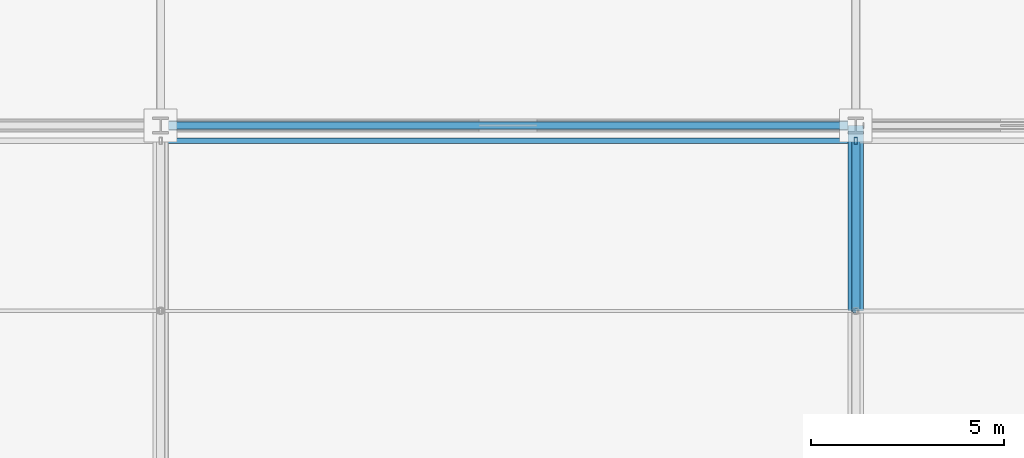
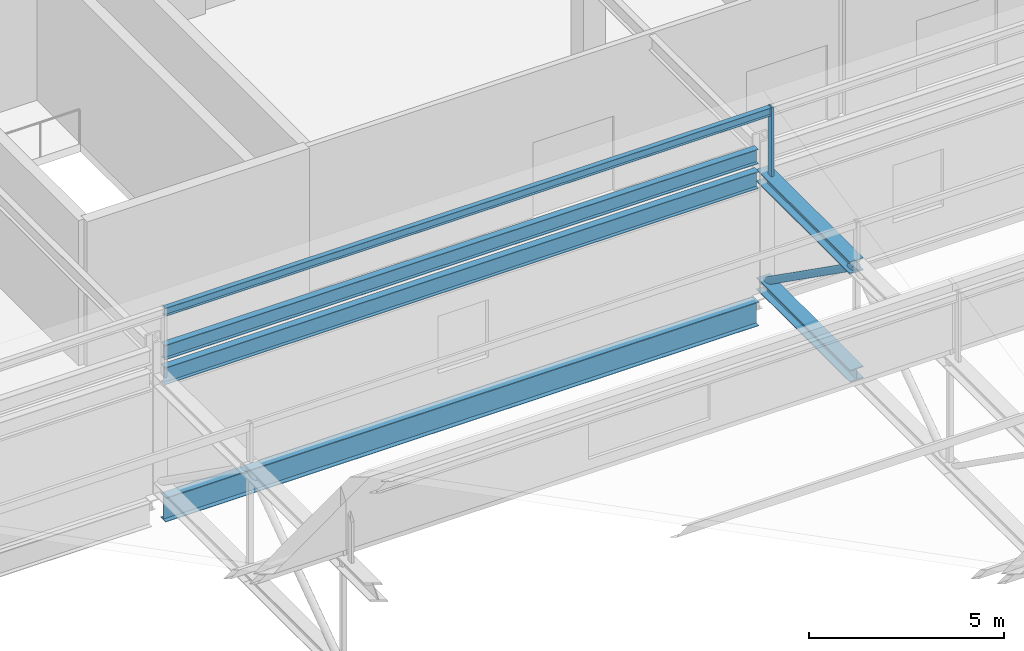
# One storey, part 49 of 136: 5 beams, 3 members.
"""IFC4 building model written with IfcOpenShell, lengths in metres."""

from ifc_helpers import new_model, si_unit, direction, frame, origin, origin_2d, place, context, subcontext, project, spatial, hollow_rectangle, hollow_circle, i_section, extrude, material, material_profile, profile_set, type_object, element, save


model = new_model("IFC4")

# Units and contexts
model_context = context("Model", 3, precision=1e-05, world=origin(), true_north=direction((0.0, 1.0)))
body_context = subcontext(model_context, "Body", "Model", "MODEL_VIEW")
ifc_project = project(units=[si_unit("LENGTHUNIT", "METRE"), si_unit("AREAUNIT", "SQUARE_METRE"), si_unit("VOLUMEUNIT", "CUBIC_METRE"), si_unit("PLANEANGLEUNIT", "RADIAN"), si_unit("MASSUNIT", "GRAM", prefix="KILO")], contexts=[model_context])

# Site, building, storey
site_placement = place(None, origin())
site = spatial("IfcSite", under=ifc_project, at=site_placement, CompositionType="ELEMENT")
building_placement = place(site_placement, origin())
building = spatial("IfcBuilding", under=site, at=building_placement, Name="Kisiwana Market Hall", CompositionType="ELEMENT")
storey_placement = place(building_placement, frame((0.0, 0.0, 16.800048828125)))
storey = spatial("IfcBuildingStorey", under=building, at=storey_placement, Name="L03", CompositionType="ELEMENT", Elevation=16.800048828125)

# Beams
ifc_material_1 = material(Name="Steel S355", Category="steel")
ifc_material_profile_1 = material_profile(ifc_material_1, i_section(OverallWidth=0.19140625, OverallDepth=0.4599609375, WebThickness=0.010009765625, FlangeThickness=0.01611328125, at=origin_2d()), Name="UB 457x191x82")
ifc_profile_set_1 = profile_set([ifc_material_profile_1], Name="Steel S355")
beam_type_1 = type_object("IfcBeamType", Name="BM-GIRD-UB457H", PredefinedType="BEAM", material=ifc_profile_set_1)
beam_1_placement = place(storey_placement, frame((63.201904296875, 84.0, 4.27783203125), z_axis=(1.0, 0.0, 0.0), x_axis=(0.0, 1.0, 0.0)))
element("IfcBeam", 1, at=beam_1_placement, inside=storey, type_object=beam_type_1, Name="Roof girder B-1151", PredefinedType="BEAM", context=body_context, shape_type="SweptSolid", body=[
    extrude(i_section(OverallWidth=0.19140625, OverallDepth=0.4599609375, WebThickness=0.010009765625, FlangeThickness=0.01611328125, at=origin_2d()), origin(), (0.0, 0.0, 1.0), 17.59619140625),
])
ifc_material_2 = material(Name="Steel S355", Category="steel")
ifc_material_profile_2 = material_profile(ifc_material_2, i_section(OverallWidth=0.209228515625, OverallDepth=0.533203125, WebThickness=0.010009765625, FlangeThickness=0.015625, at=origin_2d()), Name="UB 533x210x92")
ifc_profile_set_2 = profile_set([ifc_material_profile_2], Name="Steel S355")
beam_type_2 = type_object("IfcBeamType", Name="BM-GIRD-UB533", PredefinedType="BEAM", material=ifc_profile_set_2)
beam_2_placement = place(storey_placement, frame((63.199951171875, 84.0, 3.54345703125), z_axis=(1.0, 0.0, 0.0), x_axis=(0.0, 1.0, 0.0)))
element("IfcBeam", 2, at=beam_2_placement, inside=storey, type_object=beam_type_2, Name="Truss eaves tie B-1166", PredefinedType="BEAM", context=body_context, shape_type="SweptSolid", body=[
    extrude(i_section(OverallWidth=0.209228515625, OverallDepth=0.533203125, WebThickness=0.010009765625, FlangeThickness=0.015625, at=origin_2d()), origin(), (0.0, 0.0, 1.0), 17.60009765625),
])
ifc_material_3 = material(Name="Steel S355", Category="steel")
ifc_material_profile_3 = material_profile(ifc_material_3, i_section(OverallWidth=0.2666015625, OverallDepth=0.76220703125, WebThickness=0.014404296875, FlangeThickness=0.021484375, at=origin_2d()), Name="UB 762x267x173")
ifc_profile_set_3 = profile_set([ifc_material_profile_3], Name="Steel S355")
beam_type_3 = type_object("IfcBeamType", Name="BM-GIRD-UB762", PredefinedType="BEAM", material=ifc_profile_set_3)
beam_3_placement = place(storey_placement, frame((63.201904296875, 84.0, -0.631103515625), z_axis=(1.0, 0.0, 0.0), x_axis=(0.0, 1.0, 0.0)))
element("IfcBeam", 3, at=beam_3_placement, inside=storey, type_object=beam_type_3, Name="Floor beam B-1030", PredefinedType="BEAM", context=body_context, shape_type="SweptSolid", body=[
    extrude(i_section(OverallWidth=0.2666015625, OverallDepth=0.76220703125, WebThickness=0.014404296875, FlangeThickness=0.021484375, at=origin_2d()), origin(), (0.0, 0.0, 1.0), 17.59619140625),
])
ifc_material_4 = material(Name="Steel S355", Category="steel")
ifc_material_profile_4 = material_profile(ifc_material_4, i_section(OverallWidth=0.394775390625, OverallDepth=0.381103515625, WebThickness=0.018310546875, FlangeThickness=0.0302734375, at=origin_2d()), Name="UC 356x406x235")
ifc_profile_set_4 = profile_set([ifc_material_profile_4], Name="Steel S355")
beam_type_4 = type_object("IfcBeamType", Name="BM-TRUSS-BOT", PredefinedType="USERDEFINED", material=ifc_profile_set_4)
beam_4_placement = place(storey_placement, frame((81.0, 79.199951171875, 0.22998046875), z_axis=(0.0, 1.0, 0.0), x_axis=(-1.0, 0.0, 0.0)))
element("IfcBeam", 4, at=beam_4_placement, inside=storey, type_object=beam_type_4, Name="TR-03 BC panel 10 B-1218", ObjectType="ROOF TRUSS", PredefinedType="USERDEFINED", context=body_context, shape_type="SweptSolid", body=[
    extrude(i_section(OverallWidth=0.394775390625, OverallDepth=0.381103515625, WebThickness=0.018310546875, FlangeThickness=0.0302734375, at=origin_2d()), origin(), (0.0, 0.0, 1.0), 4.800048828125),
])
ifc_material_5 = material(Name="Steel S355", Category="steel")
ifc_material_profile_5 = material_profile(ifc_material_5, i_section(OverallWidth=0.39892578125, OverallDepth=0.3935546875, WebThickness=0.022705078125, FlangeThickness=0.03662109375, at=origin_2d()), Name="UC 356x406x287")
ifc_profile_set_5 = profile_set([ifc_material_profile_5], Name="Steel S355")
beam_type_5 = type_object("IfcBeamType", Name="BM-TRUSS-TOP", PredefinedType="USERDEFINED", material=ifc_profile_set_5)
beam_5_placement = place(storey_placement, frame((81.0, 79.199951171875, 3.619873046875), z_axis=(0.0, 1.0, 0.0), x_axis=(-1.0, 0.0, 0.0)))
element("IfcBeam", 5, at=beam_5_placement, inside=storey, type_object=beam_type_5, Name="TR-03 TC panel 10 B-1228", ObjectType="ROOF TRUSS", PredefinedType="USERDEFINED", context=body_context, shape_type="SweptSolid", body=[
    extrude(i_section(OverallWidth=0.39892578125, OverallDepth=0.3935546875, WebThickness=0.022705078125, FlangeThickness=0.03662109375, at=origin_2d()), origin(), (0.0, 0.0, 1.0), 4.800048828125),
])

# Members
ifc_material_6 = material(Name="Steel S355", Category="steel")
ifc_material_profile_6 = material_profile(ifc_material_6, hollow_rectangle(XDim=0.080078125, YDim=0.179931640625, WallThickness=0.00634765625, at=origin_2d()), Name="RHS 180x80x6.3")
ifc_profile_set_6 = profile_set([ifc_material_profile_6], Name="Steel S355")
member_type_1 = type_object("IfcMemberType", Name="MB-CAN-STRUT", PredefinedType="STRUT", material=ifc_profile_set_6)
member_1_placement = place(storey_placement, frame((81.0, 83.60009765625, 3.619873046875), z_axis=(0.0, 0.0, 1.0), x_axis=(1.0, 0.0, 0.0)))
element("IfcMember", 6, at=member_1_placement, inside=storey, type_object=member_type_1, Name="Sawtooth raker post 338 M-0325", PredefinedType="STRUT", context=body_context, shape_type="SweptSolid", body=[
    extrude(hollow_rectangle(XDim=0.080078125, YDim=0.179931640625, WallThickness=0.00634765625, at=origin_2d()), origin(), (0.0, 0.0, 1.0), 2.355712890625),
])
ifc_material_7 = material(Name="Steel S355", Category="steel")
ifc_material_profile_7 = material_profile(ifc_material_7, i_section(OverallWidth=0.146484375, OverallDepth=0.256103515625, WebThickness=0.00634765625, FlangeThickness=0.010986328125, at=origin_2d()), Name="UB 254x146x37")
ifc_profile_set_7 = profile_set([ifc_material_profile_7], Name="Steel S355")
member_type_2 = type_object("IfcMemberType", Name="MB-ROOF-PURLIN2", PredefinedType="PURLIN", material=ifc_profile_set_7)
member_2_placement = place(storey_placement, frame((63.0, 83.60009765625, 5.843505859375), z_axis=(1.0, 0.0, 0.0), x_axis=(0.0, 1.0, 0.0)))
element("IfcMember", 7, at=member_2_placement, inside=storey, type_object=member_type_2, Name="Sawtooth roof purlin 352 M-0213", PredefinedType="PURLIN", context=body_context, shape_type="SweptSolid", body=[
    extrude(i_section(OverallWidth=0.146484375, OverallDepth=0.256103515625, WebThickness=0.00634765625, FlangeThickness=0.010986328125, at=origin_2d()), origin(), (0.0, 0.0, 1.0), 18.0),
])
ifc_material_8 = material(Name="Steel S355", Category="steel")
ifc_material_profile_8 = material_profile(ifc_material_8, hollow_circle(Radius=0.109619140625, WallThickness=0.012451171875, at=origin_2d()), Name="CHS 219.1x12.5")
ifc_profile_set_8 = profile_set([ifc_material_profile_8], Name="Steel S355")
member_type_3 = type_object("IfcMemberType", Name="MB-TR-DIAG219", PredefinedType="BRACE", material=ifc_profile_set_8)
member_3_placement = place(storey_placement, frame((81.0, 79.199951171875, 3.619873046875), z_axis=(0.0, 0.816837735077, -0.576867501732), x_axis=(-1.0, 0.0, 0.0)))
element("IfcMember", 8, at=member_3_placement, inside=storey, type_object=member_type_3, Name="TR-03 diagonal 10 M-0374", PredefinedType="BRACE", context=body_context, shape_type="SweptSolid", body=[
    extrude(hollow_circle(Radius=0.109619140625, WallThickness=0.012451171875, at=origin_2d()), origin(), (0.0, 0.0, 1.0), 5.87646484375),
])

save(model, "model.ifc")
